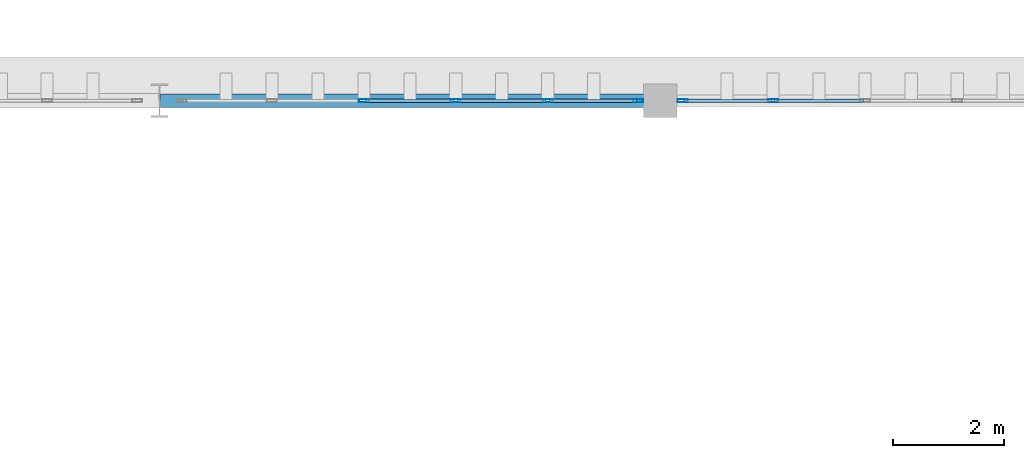
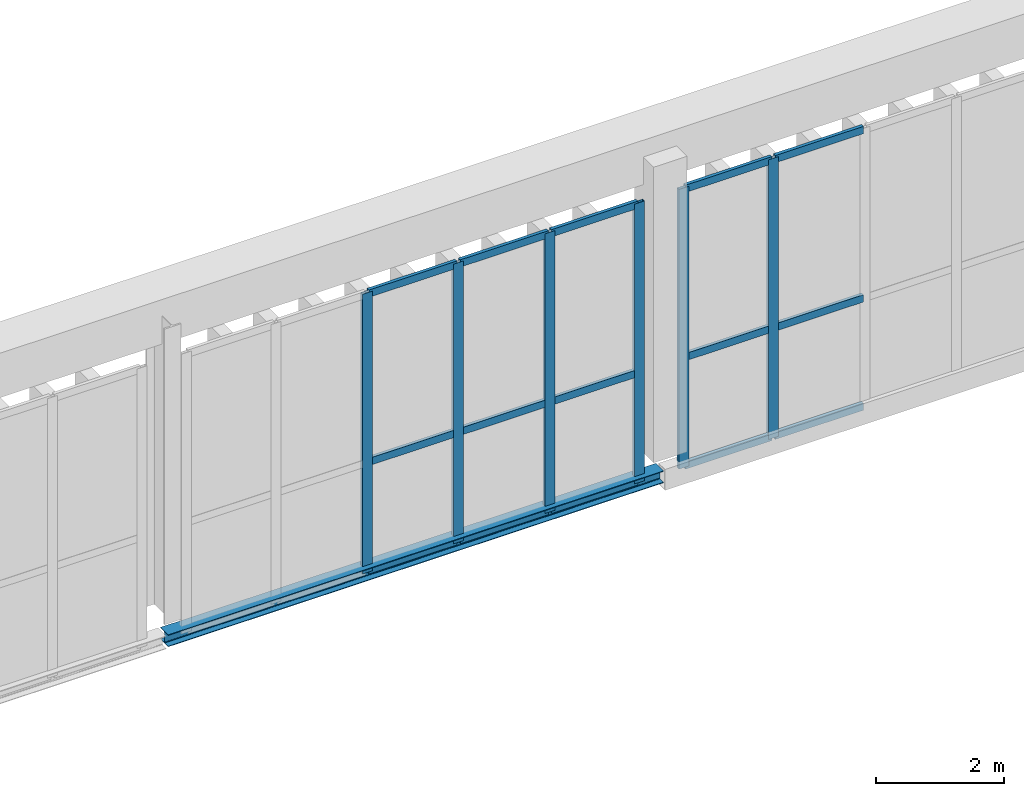
# One storey, part 169 of 237: 21 members, 1 beam, 2 elements without a shape of their own.
"""IFC4 building model written with IfcOpenShell, lengths in metres."""

from ifc_helpers import new_model, si_unit, direction, frame, origin, origin_2d, place, context, subcontext, project, spatial, hollow_rectangle, i_section, extrude, material, layer, layer_set, material_profile, profile_set, type_object, element, aggregate, save


model = new_model("IFC4")

# Units and contexts
model_context = context("Model", 3, precision=1e-05, world=origin(), true_north=direction((0.0, 1.0)))
body_context = subcontext(model_context, "Body", "Model", "MODEL_VIEW")
ifc_project = project(units=[si_unit("LENGTHUNIT", "METRE"), si_unit("AREAUNIT", "SQUARE_METRE"), si_unit("VOLUMEUNIT", "CUBIC_METRE"), si_unit("PLANEANGLEUNIT", "RADIAN"), si_unit("MASSUNIT", "GRAM", prefix="KILO")], contexts=[model_context])

# Site, building, storey
site_placement = place(None, origin())
site = spatial("IfcSite", under=ifc_project, at=site_placement, CompositionType="ELEMENT")
building_placement = place(site_placement, origin())
building = spatial("IfcBuilding", under=site, at=building_placement, Name="Barlavento Convention Centre", CompositionType="ELEMENT")
storey_placement = place(building_placement, frame((0.0, 0.0, 12.0)))
storey = spatial("IfcBuildingStorey", under=building, at=storey_placement, Name="L02", CompositionType="ELEMENT", Elevation=12.0)

# Curtain wall, members
ifc_material_1 = material(Name="Powder-coated aluminium and Low-E glass", Category="aluminium")
ifc_layer = layer(ifc_material_1, 0.18505859375)
ifc_layer_set = layer_set([ifc_layer], Name="ARC-CW-EXH-L02")
curtain_wall_type = type_object("IfcCurtainWallType", Name="ARC-CW-EXH-L02", PredefinedType="NOTDEFINED", material=ifc_layer_set)
curtain_wall_1_placement = place(storey_placement, origin())
curtain_wall_1 = element("IfcCurtainWall", 1, at=curtain_wall_1_placement, inside=storey, type_object=curtain_wall_type, Name="L02 unitised curtain wall CW05", PredefinedType="NOTDEFINED")
ifc_material_2 = material(Name="Powder-coated aluminium", Category="aluminium")
ifc_material_profile_1 = material_profile(ifc_material_2, hollow_rectangle(XDim=0.06005859375, YDim=0.179931640625, WallThickness=0.0048828125, at=origin_2d()), Name="AL-MULL 60x180x5")
ifc_profile_set_1 = profile_set([ifc_material_profile_1], Name="Powder-coated aluminium")
member_type_1 = type_object("IfcMemberType", Name="ARC-CWM-60X180", PredefinedType="MULLION", material=ifc_profile_set_1)
member_1_placement = place(storey_placement, frame((30.674072265625, 135.0, -0.5), z_axis=(0.0, 0.0, 1.0), x_axis=(0.0, 1.0, 0.0)))
member_1 = element("IfcMember", 2, at=member_1_placement, type_object=member_type_1, Name="CW05 mullion 3", PredefinedType="MULLION", context=body_context, shape_type="SweptSolid", body=[
    extrude(hollow_rectangle(XDim=0.06005859375, YDim=0.179931640625, WallThickness=0.0048828125, at=origin_2d()), origin(), (0.0, 0.0, 1.0), 5.35009765625),
])
member_2_placement = place(storey_placement, frame((32.325927734375, 135.0, -0.5), z_axis=(0.0, 0.0, 1.0), x_axis=(0.0, 1.0, 0.0)))
member_2 = element("IfcMember", 3, at=member_2_placement, type_object=member_type_1, Name="CW05 mullion 4", PredefinedType="MULLION", context=body_context, shape_type="SweptSolid", body=[
    extrude(hollow_rectangle(XDim=0.06005859375, YDim=0.179931640625, WallThickness=0.0048828125, at=origin_2d()), origin(), (0.0, 0.0, 1.0), 5.35009765625),
])
member_3_placement = place(storey_placement, frame((33.97802734375, 135.0, -0.5), z_axis=(0.0, 0.0, 1.0), x_axis=(0.0, 1.0, 0.0)))
member_3 = element("IfcMember", 4, at=member_3_placement, type_object=member_type_1, Name="CW05 mullion 5", PredefinedType="MULLION", context=body_context, shape_type="SweptSolid", body=[
    extrude(hollow_rectangle(XDim=0.06005859375, YDim=0.179931640625, WallThickness=0.0048828125, at=origin_2d()), origin(), (0.0, 0.0, 1.0), 5.35009765625),
])
member_4_placement = place(storey_placement, frame((35.60009765625, 135.0, -0.5), z_axis=(0.0, 0.0, 1.0), x_axis=(0.0, 1.0, 0.0)))
member_4 = element("IfcMember", 5, at=member_4_placement, type_object=member_type_1, Name="CW05 mullion 6", PredefinedType="MULLION", context=body_context, shape_type="SweptSolid", body=[
    extrude(hollow_rectangle(XDim=0.06005859375, YDim=0.179931640625, WallThickness=0.0048828125, at=origin_2d()), origin(), (0.0, 0.0, 1.0), 5.35009765625),
])

curtain_wall_2_placement = place(storey_placement, origin())
curtain_wall_2 = element("IfcCurtainWall", 6, at=curtain_wall_2_placement, inside=storey, type_object=curtain_wall_type, Name="L02 unitised curtain wall CW05", PredefinedType="NOTDEFINED")
member_5_placement = place(storey_placement, frame((36.39990234375, 135.0, -0.5), z_axis=(0.0, 0.0, 1.0), x_axis=(0.0, 1.0, 0.0)))
member_5 = element("IfcMember", 7, at=member_5_placement, type_object=member_type_1, Name="CW05 mullion 1", PredefinedType="MULLION", context=body_context, shape_type="SweptSolid", body=[
    extrude(hollow_rectangle(XDim=0.06005859375, YDim=0.179931640625, WallThickness=0.0048828125, at=origin_2d()), origin(), (0.0, 0.0, 1.0), 5.35009765625),
])
member_6_placement = place(storey_placement, frame((38.02490234375, 135.0, -0.5), z_axis=(0.0, 0.0, 1.0), x_axis=(0.0, 1.0, 0.0)))
member_6 = element("IfcMember", 8, at=member_6_placement, type_object=member_type_1, Name="CW05 mullion 2", PredefinedType="MULLION", context=body_context, shape_type="SweptSolid", body=[
    extrude(hollow_rectangle(XDim=0.06005859375, YDim=0.179931640625, WallThickness=0.0048828125, at=origin_2d()), origin(), (0.0, 0.0, 1.0), 5.35009765625),
])

# Member
ifc_material_profile_2 = material_profile(ifc_material_2, hollow_rectangle(XDim=0.06005859375, YDim=0.139892578125, WallThickness=0.00390625, at=origin_2d()), Name="AL-TRAN 60x140x4")
ifc_profile_set_2 = profile_set([ifc_material_profile_2], Name="Powder-coated aluminium")
member_type_2 = type_object("IfcMemberType", Name="ARC-CWT-60X140", PredefinedType="USERDEFINED", material=ifc_profile_set_2)
member_7_placement = place(storey_placement, frame((30.7041015625, 135.0, -0.469970703125), z_axis=(1.0, 0.0, 0.0), x_axis=(0.0, 1.0, 0.0)))
member_7 = element("IfcMember", 9, at=member_7_placement, type_object=member_type_2, Name="CW05 transom 3.1", ObjectType="TRANSOM", PredefinedType="USERDEFINED", context=body_context, shape_type="SweptSolid", body=[
    extrude(hollow_rectangle(XDim=0.06005859375, YDim=0.139892578125, WallThickness=0.00390625, at=origin_2d()), origin(), (0.0, 0.0, 1.0), 1.591796875),
])

member_8_placement = place(storey_placement, frame((30.7041015625, 135.0, 1.60009765625), z_axis=(1.0, 0.0, 0.0), x_axis=(0.0, 1.0, 0.0)))
member_8 = element("IfcMember", 10, at=member_8_placement, type_object=member_type_2, Name="CW05 transom 3.2", ObjectType="TRANSOM", PredefinedType="USERDEFINED", context=body_context, shape_type="SweptSolid", body=[
    extrude(hollow_rectangle(XDim=0.06005859375, YDim=0.139892578125, WallThickness=0.00390625, at=origin_2d()), origin(), (0.0, 0.0, 1.0), 1.591796875),
])

member_9_placement = place(storey_placement, frame((30.7041015625, 135.0, 4.820068359375), z_axis=(1.0, 0.0, 0.0), x_axis=(0.0, 1.0, 0.0)))
member_9 = element("IfcMember", 11, at=member_9_placement, type_object=member_type_2, Name="CW05 transom 3.3", ObjectType="TRANSOM", PredefinedType="USERDEFINED", context=body_context, shape_type="SweptSolid", body=[
    extrude(hollow_rectangle(XDim=0.06005859375, YDim=0.139892578125, WallThickness=0.00390625, at=origin_2d()), origin(), (0.0, 0.0, 1.0), 1.591796875),
])

member_10_placement = place(storey_placement, frame((32.35595703125, 135.0, -0.469970703125), z_axis=(1.0, 0.0, 0.0), x_axis=(0.0, 1.0, 0.0)))
member_10 = element("IfcMember", 12, at=member_10_placement, type_object=member_type_2, Name="CW05 transom 4.1", ObjectType="TRANSOM", PredefinedType="USERDEFINED", context=body_context, shape_type="SweptSolid", body=[
    extrude(hollow_rectangle(XDim=0.06005859375, YDim=0.139892578125, WallThickness=0.00390625, at=origin_2d()), origin(), (0.0, 0.0, 1.0), 1.592041015625),
])

member_11_placement = place(storey_placement, frame((32.35595703125, 135.0, 1.60009765625), z_axis=(1.0, 0.0, 0.0), x_axis=(0.0, 1.0, 0.0)))
member_11 = element("IfcMember", 13, at=member_11_placement, type_object=member_type_2, Name="CW05 transom 4.2", ObjectType="TRANSOM", PredefinedType="USERDEFINED", context=body_context, shape_type="SweptSolid", body=[
    extrude(hollow_rectangle(XDim=0.06005859375, YDim=0.139892578125, WallThickness=0.00390625, at=origin_2d()), origin(), (0.0, 0.0, 1.0), 1.592041015625),
])

member_12_placement = place(storey_placement, frame((32.35595703125, 135.0, 4.820068359375), z_axis=(1.0, 0.0, 0.0), x_axis=(0.0, 1.0, 0.0)))
member_12 = element("IfcMember", 14, at=member_12_placement, type_object=member_type_2, Name="CW05 transom 4.3", ObjectType="TRANSOM", PredefinedType="USERDEFINED", context=body_context, shape_type="SweptSolid", body=[
    extrude(hollow_rectangle(XDim=0.06005859375, YDim=0.139892578125, WallThickness=0.00390625, at=origin_2d()), origin(), (0.0, 0.0, 1.0), 1.592041015625),
])

member_13_placement = place(storey_placement, frame((34.008056640625, 135.0, -0.469970703125), z_axis=(1.0, 0.0, 0.0), x_axis=(0.0, 1.0, 0.0)))
member_13 = element("IfcMember", 15, at=member_13_placement, type_object=member_type_2, Name="CW05 transom 5.1", ObjectType="TRANSOM", PredefinedType="USERDEFINED", context=body_context, shape_type="SweptSolid", body=[
    extrude(hollow_rectangle(XDim=0.06005859375, YDim=0.139892578125, WallThickness=0.00390625, at=origin_2d()), origin(), (0.0, 0.0, 1.0), 1.56201171875),
])

member_14_placement = place(storey_placement, frame((34.008056640625, 135.0, 1.60009765625), z_axis=(1.0, 0.0, 0.0), x_axis=(0.0, 1.0, 0.0)))
member_14 = element("IfcMember", 16, at=member_14_placement, type_object=member_type_2, Name="CW05 transom 5.2", ObjectType="TRANSOM", PredefinedType="USERDEFINED", context=body_context, shape_type="SweptSolid", body=[
    extrude(hollow_rectangle(XDim=0.06005859375, YDim=0.139892578125, WallThickness=0.00390625, at=origin_2d()), origin(), (0.0, 0.0, 1.0), 1.56201171875),
])

member_15_placement = place(storey_placement, frame((34.008056640625, 135.0, 4.820068359375), z_axis=(1.0, 0.0, 0.0), x_axis=(0.0, 1.0, 0.0)))
member_15 = element("IfcMember", 17, at=member_15_placement, type_object=member_type_2, Name="CW05 transom 5.3", ObjectType="TRANSOM", PredefinedType="USERDEFINED", context=body_context, shape_type="SweptSolid", body=[
    extrude(hollow_rectangle(XDim=0.06005859375, YDim=0.139892578125, WallThickness=0.00390625, at=origin_2d()), origin(), (0.0, 0.0, 1.0), 1.56201171875),
])

aggregate(curtain_wall_1, [member_1, member_2, member_3, member_4, member_7, member_8, member_9, member_10, member_11, member_12, member_13, member_14, member_15])

member_16_placement = place(storey_placement, frame((36.429931640625, 135.0, -0.469970703125), z_axis=(1.0, 0.0, 0.0), x_axis=(0.0, 1.0, 0.0)))
member_16 = element("IfcMember", 18, at=member_16_placement, type_object=member_type_2, Name="CW05 transom 1.1", ObjectType="TRANSOM", PredefinedType="USERDEFINED", context=body_context, shape_type="SweptSolid", body=[
    extrude(hollow_rectangle(XDim=0.06005859375, YDim=0.139892578125, WallThickness=0.00390625, at=origin_2d()), origin(), (0.0, 0.0, 1.0), 1.56494140625),
])

member_17_placement = place(storey_placement, frame((36.429931640625, 135.0, 1.60009765625), z_axis=(1.0, 0.0, 0.0), x_axis=(0.0, 1.0, 0.0)))
member_17 = element("IfcMember", 19, at=member_17_placement, type_object=member_type_2, Name="CW05 transom 1.2", ObjectType="TRANSOM", PredefinedType="USERDEFINED", context=body_context, shape_type="SweptSolid", body=[
    extrude(hollow_rectangle(XDim=0.06005859375, YDim=0.139892578125, WallThickness=0.00390625, at=origin_2d()), origin(), (0.0, 0.0, 1.0), 1.56494140625),
])

member_18_placement = place(storey_placement, frame((36.429931640625, 135.0, 4.820068359375), z_axis=(1.0, 0.0, 0.0), x_axis=(0.0, 1.0, 0.0)))
member_18 = element("IfcMember", 20, at=member_18_placement, type_object=member_type_2, Name="CW05 transom 1.3", ObjectType="TRANSOM", PredefinedType="USERDEFINED", context=body_context, shape_type="SweptSolid", body=[
    extrude(hollow_rectangle(XDim=0.06005859375, YDim=0.139892578125, WallThickness=0.00390625, at=origin_2d()), origin(), (0.0, 0.0, 1.0), 1.56494140625),
])

member_19_placement = place(storey_placement, frame((38.0546875, 135.0, -0.469970703125), z_axis=(1.0, 0.0, 0.0), x_axis=(0.0, 1.0, 0.0)))
member_19 = element("IfcMember", 21, at=member_19_placement, type_object=member_type_2, Name="CW05 transom 2.1", ObjectType="TRANSOM", PredefinedType="USERDEFINED", context=body_context, shape_type="SweptSolid", body=[
    extrude(hollow_rectangle(XDim=0.06005859375, YDim=0.139892578125, WallThickness=0.00390625, at=origin_2d()), origin(), (0.0, 0.0, 1.0), 1.594970703125),
])

member_20_placement = place(storey_placement, frame((38.0546875, 135.0, 1.60009765625), z_axis=(1.0, 0.0, 0.0), x_axis=(0.0, 1.0, 0.0)))
member_20 = element("IfcMember", 22, at=member_20_placement, type_object=member_type_2, Name="CW05 transom 2.2", ObjectType="TRANSOM", PredefinedType="USERDEFINED", context=body_context, shape_type="SweptSolid", body=[
    extrude(hollow_rectangle(XDim=0.06005859375, YDim=0.139892578125, WallThickness=0.00390625, at=origin_2d()), origin(), (0.0, 0.0, 1.0), 1.594970703125),
])

member_21_placement = place(storey_placement, frame((38.0546875, 135.0, 4.820068359375), z_axis=(1.0, 0.0, 0.0), x_axis=(0.0, 1.0, 0.0)))
member_21 = element("IfcMember", 23, at=member_21_placement, type_object=member_type_2, Name="CW05 transom 2.3", ObjectType="TRANSOM", PredefinedType="USERDEFINED", context=body_context, shape_type="SweptSolid", body=[
    extrude(hollow_rectangle(XDim=0.06005859375, YDim=0.139892578125, WallThickness=0.00390625, at=origin_2d()), origin(), (0.0, 0.0, 1.0), 1.594970703125),
])

aggregate(curtain_wall_2, [member_5, member_6, member_16, member_17, member_18, member_19, member_20, member_21])

# Beam
ifc_material_3 = material(Name="Steel S355", Category="steel")
ifc_material_profile_3 = material_profile(ifc_material_3, i_section(OverallWidth=0.239990234375, OverallDepth=0.22998046875, WebThickness=0.007568359375, FlangeThickness=0.011962890625, FilletRadius=0.02099609375, at=origin_2d()), Name="HEA 240")
ifc_profile_set_3 = profile_set([ifc_material_profile_3], Name="Steel S355")
beam_type = type_object("IfcBeamType", Name="STR-BM-SPN-HEA240", PredefinedType="SPANDREL", material=ifc_profile_set_3)
beam_placement = place(storey_placement, frame((27.02001953125, 135.0, -0.47509765625), z_axis=(1.0, 0.0, 0.0), x_axis=(0.0, 1.0, 0.0)))
element("IfcBeam", 24, at=beam_placement, inside=storey, type_object=beam_type, Name="L02 primary girder SP05", PredefinedType="SPANDREL", context=body_context, shape_type="SweptSolid", body=[
    extrude(i_section(OverallWidth=0.239990234375, OverallDepth=0.22998046875, WebThickness=0.007568359375, FlangeThickness=0.011962890625, FilletRadius=0.02099609375, at=origin_2d()), origin(), (0.0, 0.0, 1.0), 8.9599609375),
])

save(model, "model.ifc")
